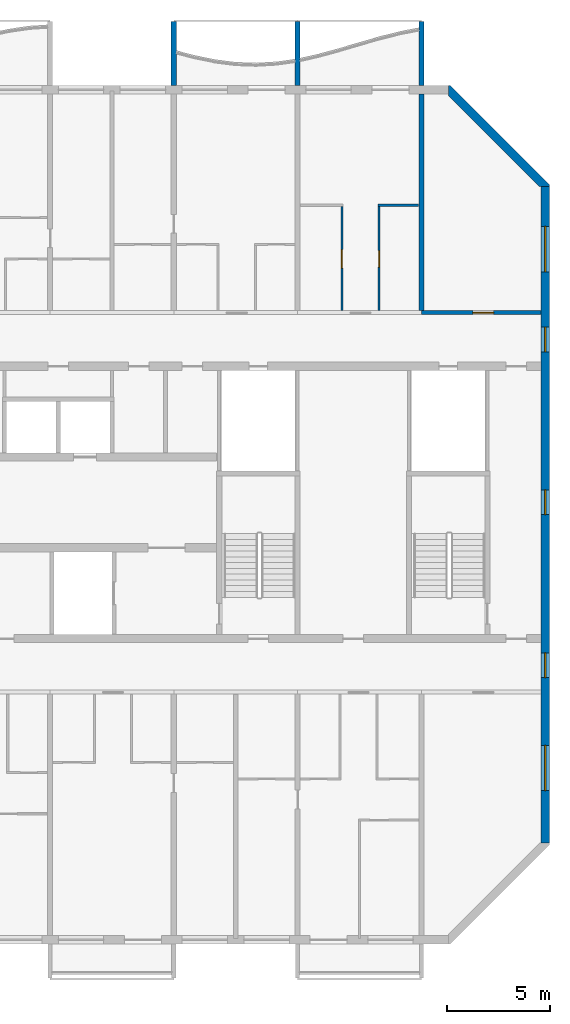
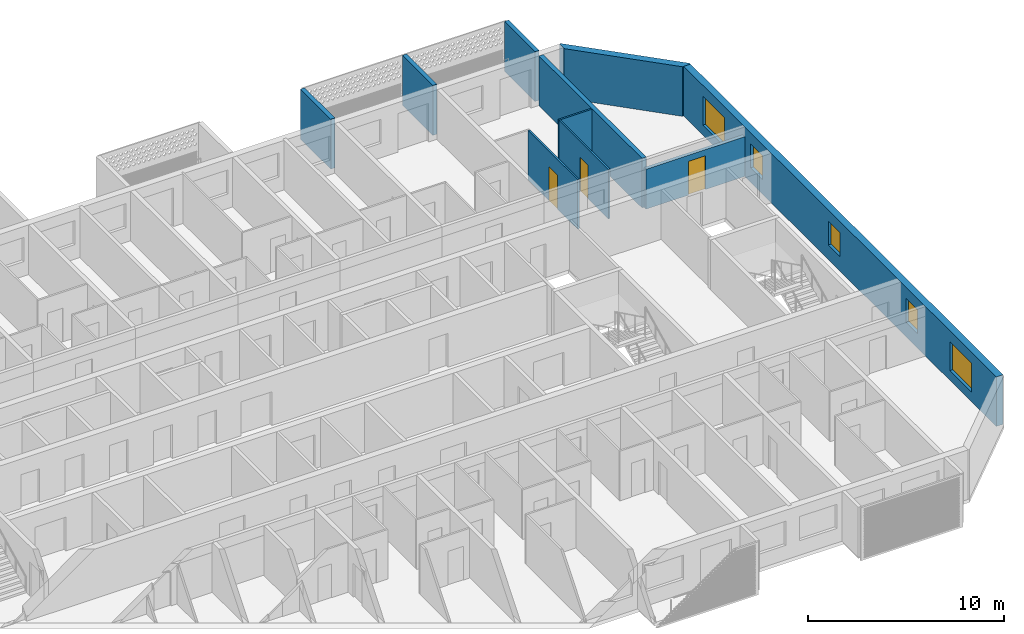
# One storey, part 11 of 27: 10 walls, 5 windows, 3 doors, 8 openings.
"""IFC4 building model written with IfcOpenShell, lengths in metres."""

from ifc_helpers import new_model, si_unit, direction, frame, frame_2d, origin, place, context, subcontext, project, spatial, polyline, rectangle, outline, extrude, source, transform, mapped, material, layer, layer_set, type_object, element, fill, save


model = new_model("IFC4")

# Units and contexts
model_context = context("Model", 3, precision=1e-05, world=origin(), true_north=direction((0.0, 1.0)))
body_context = subcontext(model_context, "Body", "Model", "MODEL_VIEW")
ifc_project = project(units=[si_unit("LENGTHUNIT", "METRE"), si_unit("AREAUNIT", "SQUARE_METRE"), si_unit("VOLUMEUNIT", "CUBIC_METRE"), si_unit("PLANEANGLEUNIT", "RADIAN"), si_unit("MASSUNIT", "GRAM", prefix="KILO")], contexts=[model_context])

# Site, building, storey
site_placement = place(None, origin())
site = spatial("IfcSite", under=ifc_project, at=site_placement, CompositionType="ELEMENT")
building_placement = place(site_placement, origin())
building = spatial("IfcBuilding", under=site, at=building_placement, Name="Poui Terraces", CompositionType="ELEMENT")
storey_placement = place(building_placement, frame((0.0, 0.0, 191.699951171875)))
storey = spatial("IfcBuildingStorey", under=building, at=storey_placement, Name="L53", CompositionType="ELEMENT", Elevation=191.699951171875)

# Wall, opening, door
ifc_material_1 = material(Name="Concrete 50 MPa", Category="concrete")
ifc_layer_1 = layer(ifc_material_1, 0.199951171875)
ifc_layer_set_1 = layer_set([ifc_layer_1], Name="Concrete 50 MPa")
wall_type_1 = type_object("IfcWallType", Name="CORRIDOR WALL 200 50MPa", PredefinedType="SHEAR", material=ifc_layer_set_1)
wall_1_placement = place(storey_placement, frame((78.0, 30.39990234375, 0.0), z_axis=(0.0, 0.0, 1.0), x_axis=(1.0, 0.0, 0.0)))
wall_1 = element("IfcWall", 1, at=wall_1_placement, inside=storey, type_object=wall_type_1, Name="CORRIDOR WALL LINE E BAY 11", PredefinedType="SHEAR", context=body_context, shape_type="SweptSolid", body=[
    extrude(rectangle(XDim=5.800048828125, YDim=0.199951171875, at=frame_2d((2.89990234375, 0.0))), origin(), (0.0, 0.0, 1.0), 2.47998046875),
])
opening_1_placement = place(wall_1_placement, frame((2.5, 0.0, 0.0)))
opening_1 = element("IfcOpeningElement", 2, at=opening_1_placement, cuts=wall_1, Name="Opening D100", PredefinedType="OPENING", context=body_context, shape_type="SweptSolid", body=[
    extrude(rectangle(XDim=1.0, YDim=2.10009765625, at=frame_2d((0.5, 1.050048828125))), frame((0.0, 0.10986328125, 0.0), z_axis=(0.0, -1.0, 0.0), x_axis=(1.0, 0.0, 0.0)), (0.0, 0.0, 1.0), 0.219970703125),
])
ifc_material_2 = material(Name="Solid core timber door", Category="wood")
door_type_1 = type_object("IfcDoorType", Name="ACCESSIBLE INTERNAL DOOR 1000 X 2100", OperationType="NOTDEFINED", PredefinedType="DOOR", material=ifc_material_2)
door_1_placement = place(opening_1_placement, origin())
door_1 = element("IfcDoor", 3, at=door_1_placement, inside=storey, type_object=door_type_1, Name="ACCESSIBLE INTERNAL DOOR 062", OperationType="SINGLE_SWING_LEFT", OverallHeight=2.10009765625, OverallWidth=1.0, PredefinedType="DOOR", context=body_context, shape_type="SweptSolid", body=[
    extrude(rectangle(XDim=1.0, YDim=2.10009765625, at=frame_2d((0.5, 1.050048828125))), frame((0.0, 0.02490234375, 0.0), z_axis=(0.0, -1.0, 0.0), x_axis=(1.0, 0.0, 0.0)), (0.0, 0.0, 1.0), 0.050048828125),
])
fill(opening_1, door_1)

# Wall
ifc_layer_2 = layer(ifc_material_1, 0.25)
ifc_layer_set_2 = layer_set([ifc_layer_2], Name="Concrete 50 MPa")
wall_type_2 = type_object("IfcWallType", Name="CROSS WALL 250 50MPa", PredefinedType="SHEAR", material=ifc_layer_set_2)
wall_2_placement = place(storey_placement, frame((78.0, 30.5, 0.0), z_axis=(0.0, 0.0, 1.0), x_axis=(0.0, 1.0, 0.0)))
element("IfcWall", 4, at=wall_2_placement, inside=storey, type_object=wall_type_2, Name="CROSS WALL LINE 14 NORTH", PredefinedType="SHEAR", context=body_context, shape_type="SweptSolid", body=[
    extrude(rectangle(XDim=10.5, YDim=0.25, at=frame_2d((5.25, 0.0))), origin(), (0.0, 0.0, 1.0), 3.080078125),
])

# Wall, openings, windows
ifc_layer_3 = layer(ifc_material_1, 0.39990234375)
ifc_layer_set_3 = layer_set([ifc_layer_3], Name="Concrete 50 MPa")
wall_type_3 = type_object("IfcWallType", Name="END WALL 400 50MPa", PredefinedType="SHEAR", material=ifc_layer_set_3)
wall_3_placement = place(storey_placement, frame((84.0, 4.682861328125, 0.0), z_axis=(0.0, 0.0, 1.0), x_axis=(0.0, 1.0, 0.0)))
wall_3 = element("IfcWall", 5, at=wall_3_placement, inside=storey, type_object=wall_type_3, Name="END WALL EAST", PredefinedType="SHEAR", context=body_context, shape_type="SweptSolid", body=[
    extrude(rectangle(XDim=31.834228515625, YDim=0.39990234375, at=frame_2d((15.9169921875, 0.0))), origin(), (0.0, 0.0, 1.0), 3.080078125),
])
opening_2_placement = place(wall_3_placement, frame((23.817138671875, 0.0, 0.89990234375)))
opening_2 = element("IfcOpeningElement", 6, at=opening_2_placement, cuts=wall_3, Name="Opening W2", PredefinedType="OPENING", context=body_context, shape_type="SweptSolid", body=[
    extrude(rectangle(XDim=1.199951171875, YDim=1.5, at=frame_2d((0.60009765625, 0.75))), frame((0.0, 0.2099609375, 0.0), z_axis=(0.0, -1.0, 0.0), x_axis=(1.0, 0.0, 0.0)), (0.0, 0.0, 1.0), 0.419921875),
])
opening_3_placement = place(wall_3_placement, frame((8.01708984375, 0.0, 0.89990234375)))
opening_3 = element("IfcOpeningElement", 7, at=opening_3_placement, cuts=wall_3, Name="Opening W2", PredefinedType="OPENING", context=body_context, shape_type="SweptSolid", body=[
    extrude(rectangle(XDim=1.199951171875, YDim=1.5, at=frame_2d((0.60009765625, 0.75))), frame((0.0, 0.2099609375, 0.0), z_axis=(0.0, -1.0, 0.0), x_axis=(1.0, 0.0, 0.0)), (0.0, 0.0, 1.0), 0.419921875),
])
opening_4_placement = place(wall_3_placement, frame((27.693603515625, 0.0, 0.60009765625)))
opening_4 = element("IfcOpeningElement", 8, at=opening_4_placement, cuts=wall_3, Name="Opening W3", PredefinedType="OPENING", context=body_context, shape_type="SweptSolid", body=[
    extrude(rectangle(XDim=2.199951171875, YDim=1.800048828125, at=frame_2d((1.10009765625, 0.89990234375))), frame((0.0, 0.2099609375, 0.0), z_axis=(0.0, -1.0, 0.0), x_axis=(1.0, 0.0, 0.0)), (0.0, 0.0, 1.0), 0.419921875),
])
opening_5_placement = place(wall_3_placement, frame((2.541015625, 0.0, 0.60009765625)))
opening_5 = element("IfcOpeningElement", 9, at=opening_5_placement, cuts=wall_3, Name="Opening W3", PredefinedType="OPENING", context=body_context, shape_type="SweptSolid", body=[
    extrude(rectangle(XDim=2.199951171875, YDim=1.800048828125, at=frame_2d((1.10009765625, 0.89990234375))), frame((0.0, 0.2099609375, 0.0), z_axis=(0.0, -1.0, 0.0), x_axis=(1.0, 0.0, 0.0)), (0.0, 0.0, 1.0), 0.419921875),
])
opening_6_placement = place(wall_3_placement, frame((15.917236328125, 0.0, 0.89990234375)))
opening_6 = element("IfcOpeningElement", 10, at=opening_6_placement, cuts=wall_3, Name="Opening W2", PredefinedType="OPENING", context=body_context, shape_type="SweptSolid", body=[
    extrude(rectangle(XDim=1.199951171875, YDim=1.5, at=frame_2d((0.60009765625, 0.75))), frame((0.0, 0.2099609375, 0.0), z_axis=(0.0, -1.0, 0.0), x_axis=(1.0, 0.0, 0.0)), (0.0, 0.0, 1.0), 0.419921875),
])
ifc_material_3 = material(Name="Clear glass in aluminium frame", Category="aluminium")
window_type_1 = type_object("IfcWindowType", Name="WINDOW 1200X1500", PartitioningType="SINGLE_PANEL", PredefinedType="WINDOW", material=ifc_material_3)
window_1_placement = place(opening_2_placement, origin())
window_1 = element("IfcWindow", 11, at=window_1_placement, inside=storey, type_object=window_type_1, Name="W2 WINDOW", OverallHeight=1.5, OverallWidth=1.199951171875, PartitioningType="SINGLE_PANEL", PredefinedType="WINDOW", context=body_context, shape_type="SweptSolid", body=[
    extrude(rectangle(XDim=1.199951171875, YDim=1.5, at=frame_2d((0.60009765625, 0.75))), frame((0.0, 0.030029296875, 0.0), z_axis=(0.0, -1.0, 0.0), x_axis=(1.0, 0.0, 0.0)), (0.0, 0.0, 1.0), 0.06005859375),
])
fill(opening_2, window_1)
window_2_placement = place(opening_3_placement, origin())
window_2 = element("IfcWindow", 12, at=window_2_placement, inside=storey, type_object=window_type_1, Name="W2 WINDOW", OverallHeight=1.5, OverallWidth=1.199951171875, PartitioningType="SINGLE_PANEL", PredefinedType="WINDOW", context=body_context, shape_type="SweptSolid", body=[
    extrude(rectangle(XDim=1.199951171875, YDim=1.5, at=frame_2d((0.60009765625, 0.75))), frame((0.0, 0.030029296875, 0.0), z_axis=(0.0, -1.0, 0.0), x_axis=(1.0, 0.0, 0.0)), (0.0, 0.0, 1.0), 0.06005859375),
])
fill(opening_3, window_2)
window_3_placement = place(opening_6_placement, origin())
window_3 = element("IfcWindow", 13, at=window_3_placement, inside=storey, type_object=window_type_1, Name="W2 WINDOW", OverallHeight=1.5, OverallWidth=1.199951171875, PartitioningType="SINGLE_PANEL", PredefinedType="WINDOW", context=body_context, shape_type="SweptSolid", body=[
    extrude(rectangle(XDim=1.199951171875, YDim=1.5, at=frame_2d((0.60009765625, 0.75))), frame((0.0, 0.030029296875, 0.0), z_axis=(0.0, -1.0, 0.0), x_axis=(1.0, 0.0, 0.0)), (0.0, 0.0, 1.0), 0.06005859375),
])
fill(opening_6, window_3)
window_type_2 = type_object("IfcWindowType", Name="WINDOW 2200X1800", PartitioningType="DOUBLE_PANEL_HORIZONTAL", PredefinedType="WINDOW", material=ifc_material_3)
window_4_placement = place(opening_4_placement, origin())
window_4 = element("IfcWindow", 14, at=window_4_placement, inside=storey, type_object=window_type_2, Name="W3 WINDOW", OverallHeight=1.800048828125, OverallWidth=2.199951171875, PartitioningType="DOUBLE_PANEL_HORIZONTAL", PredefinedType="WINDOW", context=body_context, shape_type="SweptSolid", body=[
    extrude(rectangle(XDim=2.199951171875, YDim=1.800048828125, at=frame_2d((1.10009765625, 0.89990234375))), frame((0.0, 0.030029296875, 0.0), z_axis=(0.0, -1.0, 0.0), x_axis=(1.0, 0.0, 0.0)), (0.0, 0.0, 1.0), 0.06005859375),
])
fill(opening_4, window_4)
window_5_placement = place(opening_5_placement, origin())
window_5 = element("IfcWindow", 15, at=window_5_placement, inside=storey, type_object=window_type_2, Name="W3 WINDOW", OverallHeight=1.800048828125, OverallWidth=2.199951171875, PartitioningType="DOUBLE_PANEL_HORIZONTAL", PredefinedType="WINDOW", context=body_context, shape_type="SweptSolid", body=[
    extrude(rectangle(XDim=2.199951171875, YDim=1.800048828125, at=frame_2d((1.10009765625, 0.89990234375))), frame((0.0, 0.030029296875, 0.0), z_axis=(0.0, -1.0, 0.0), x_axis=(1.0, 0.0, 0.0)), (0.0, 0.0, 1.0), 0.06005859375),
])
fill(opening_5, window_5)

# Wall
ifc_material_4 = material(Name="Plasterboard partition")
ifc_layer_4 = layer(ifc_material_4, 0.10009765625)
ifc_layer_set_4 = layer_set([ifc_layer_4], Name="Plasterboard partition")
wall_type_4 = type_object("IfcWallType", Name="FLAT PARTITION 100", PredefinedType="PARTITIONING", material=ifc_layer_set_4)
wall_4_placement = place(storey_placement, frame((75.89990234375, 35.60009765625, 0.0), z_axis=(0.0, 0.0, 1.0), x_axis=(1.0, 0.0, 0.0)))
element("IfcWall", 16, at=wall_4_placement, inside=storey, type_object=wall_type_4, Name="FLAT PARTITION 100", PredefinedType="PARTITIONING", context=body_context, shape_type="SweptSolid", body=[
    extrude(rectangle(XDim=1.965087890625, YDim=0.10009765625, at=frame_2d((0.982421875, 0.0))), origin(), (0.0, 0.0, 1.0), 3.080078125),
])

# Wall, opening, door
wall_5_placement = place(storey_placement, frame((74.14990234375, 30.510009765625, 0.0), z_axis=(0.0, 0.0, 1.0), x_axis=(0.0, 1.0, 0.0)))
wall_5 = element("IfcWall", 17, at=wall_5_placement, inside=storey, type_object=wall_type_4, Name="FLAT PARTITION 100", PredefinedType="PARTITIONING", context=body_context, shape_type="SweptSolid", body=[
    extrude(rectangle(XDim=5.0400390625, YDim=0.10009765625, at=frame_2d((2.52001953125, 0.0))), origin(), (0.0, 0.0, 1.0), 3.080078125),
])
opening_7_placement = place(wall_5_placement, frame((2.0400390625, 0.0, 0.0)))
opening_7 = element("IfcOpeningElement", 18, at=opening_7_placement, cuts=wall_5, Name="Opening D90", PredefinedType="OPENING", context=body_context, shape_type="SweptSolid", body=[
    extrude(rectangle(XDim=0.89990234375, YDim=2.10009765625, at=frame_2d((0.449951171875, 1.050048828125))), frame((0.0, 0.06005859375, 0.0), z_axis=(0.0, -1.0, 0.0), x_axis=(1.0, 0.0, 0.0)), (0.0, 0.0, 1.0), 0.1201171875),
])
door_type_2 = type_object("IfcDoorType", Name="INTERNAL DOOR 900 X 2100", OperationType="NOTDEFINED", PredefinedType="DOOR", material=ifc_material_2)
door_2_placement = place(opening_7_placement, origin())
door_2 = element("IfcDoor", 19, at=door_2_placement, inside=storey, type_object=door_type_2, Name="INTERNAL DOOR 059", OperationType="SINGLE_SWING_RIGHT", OverallHeight=2.10009765625, OverallWidth=0.89990234375, PredefinedType="DOOR", context=body_context, shape_type="SweptSolid", body=[
    extrude(rectangle(XDim=0.89990234375, YDim=2.10009765625, at=frame_2d((0.449951171875, 1.050048828125))), frame((0.0, 0.02490234375, 0.0), z_axis=(0.0, -1.0, 0.0), x_axis=(1.0, 0.0, 0.0)), (0.0, 0.0, 1.0), 0.050048828125),
])
fill(opening_7, door_2)

wall_6_placement = place(storey_placement, frame((75.949951171875, 30.510009765625, 0.0), z_axis=(0.0, 0.0, 1.0), x_axis=(0.0, 1.0, 0.0)))
wall_6 = element("IfcWall", 20, at=wall_6_placement, inside=storey, type_object=wall_type_4, Name="FLAT PARTITION 100", PredefinedType="PARTITIONING", context=body_context, shape_type="SweptSolid", body=[
    extrude(rectangle(XDim=5.0400390625, YDim=0.10009765625, at=frame_2d((2.52001953125, 0.0))), origin(), (0.0, 0.0, 1.0), 3.080078125),
])
opening_8_placement = place(wall_6_placement, frame((2.090087890625, 0.0, 0.0)))
opening_8 = element("IfcOpeningElement", 21, at=opening_8_placement, cuts=wall_6, Name="Opening D80", PredefinedType="OPENING", context=body_context, shape_type="SweptSolid", body=[
    extrude(rectangle(XDim=0.800048828125, YDim=2.10009765625, at=frame_2d((0.39990234375, 1.050048828125))), frame((0.0, 0.06005859375, 0.0), z_axis=(0.0, -1.0, 0.0), x_axis=(1.0, 0.0, 0.0)), (0.0, 0.0, 1.0), 0.1201171875),
])
door_type_3 = type_object("IfcDoorType", Name="BATHROOM, LAUNDRY AND STORE DOOR 800 X 2100", OperationType="NOTDEFINED", PredefinedType="DOOR", material=ifc_material_2)
door_3_placement = place(opening_8_placement, frame((0.800048828125, 0.0, 0.0), z_axis=(0.0, 0.0, 1.0), x_axis=(-1.0, 0.0, 0.0)))
door_3 = element("IfcDoor", 22, at=door_3_placement, inside=storey, type_object=door_type_3, Name="BATHROOM, LAUNDRY AND STORE DOOR 061", OperationType="SINGLE_SWING_RIGHT", OverallHeight=2.10009765625, OverallWidth=0.800048828125, PredefinedType="DOOR", context=body_context, shape_type="SweptSolid", body=[
    extrude(rectangle(XDim=0.800048828125, YDim=2.10009765625, at=frame_2d((0.39990234375, 1.050048828125))), frame((0.0, 0.02490234375, 0.0), z_axis=(0.0, -1.0, 0.0), x_axis=(1.0, 0.0, 0.0)), (0.0, 0.0, 1.0), 0.050048828125),
])
fill(opening_8, door_3)

# Walls
ifc_material_5 = material(Name="Precast concrete 40 MPa", Category="concrete")
ifc_layer_5 = layer(ifc_material_5, 0.39990234375)
ifc_layer_set_5 = layer_set([ifc_layer_5], Name="Precast concrete 40 MPa")
wall_type_5 = type_object("IfcWallType", Name="TERRACOTTA CLAD CHAMFER WALL 400", PredefinedType="STANDARD", material=ifc_layer_set_5)
wall_7_placement = place(storey_placement, origin())
element("IfcWall", 23, at=wall_7_placement, inside=storey, type_object=wall_type_5, Name="CHAMFER WALL CH03", PredefinedType="STANDARD", context=body_context, shape_type="SweptSolid", body=[
    extrude(outline(polyline([(84.199951171875, 36.51708984375), (84.199951171875, 36.60009765625), (79.39990234375, 41.39990234375), (79.317138671875, 41.39990234375), (79.317138671875, 40.917236328125), (83.71728515625, 36.51708984375), (84.199951171875, 36.51708984375)])), origin(), (0.0, 0.0, 1.0), 3.080078125),
])
ifc_layer_6 = layer(ifc_material_5, 0.25)
ifc_layer_set_6 = layer_set([ifc_layer_6], Name="Precast concrete 40 MPa")
wall_type_6 = type_object("IfcWallType", Name="BALCONY FIN 250", PredefinedType="STANDARD", material=ifc_layer_set_6)
shared_shape = source(origin(), body_context, "Body", "SweptSolid", [
    extrude(outline(polyline([(0.0, 0.0), (0.25, 0.0), (0.25, 3.10009765625), (0.0, 3.10009765625), (0.0, 0.0)])), origin(), (0.0, 0.0, 1.0), 3.10009765625),
])
for number, where, name in (
    (24, (65.875, 41.39990234375, 0.0), "BALCONY FIN"),
    (25, (71.875, 41.39990234375, 0.0), "BALCONY FIN"),
    (26, (77.875, 41.39990234375, 0.0), "BALCONY FIN"),
):
    element("IfcWall", number, at=place(storey_placement, frame(where)), inside=storey, type_object=wall_type_6, Name=name, PredefinedType="STANDARD", context=body_context, shape_type="MappedRepresentation", body=[
        mapped(shared_shape, transform((0.0, 0.0, 0.0))),
    ])

save(model, "model.ifc")
